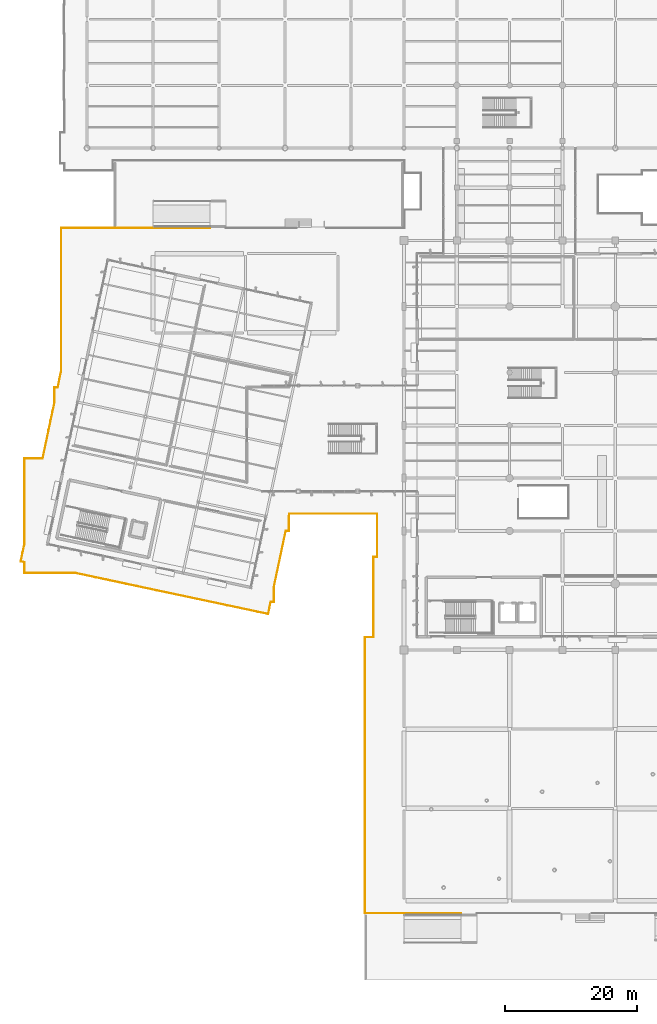
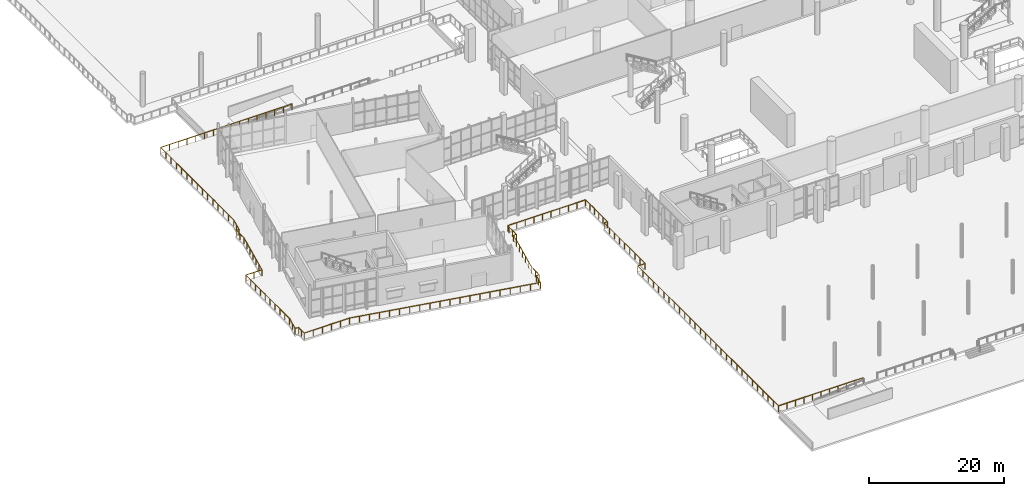
# One storey, part 144 of 163: 1 railing.
"""IFC4 building model written with IfcOpenShell, lengths in metres."""

from ifc_helpers import new_model, si_unit, direction, frame, origin, origin_2d, place, context, subcontext, project, spatial, rectangle, extrude, material, type_object, element, save


model = new_model("IFC4")

# Units and contexts
model_context = context("Model", 3, precision=1e-05, world=origin(), true_north=direction((0.0, 1.0)))
body_context = subcontext(model_context, "Body", "Model", "MODEL_VIEW")
ifc_project = project(units=[si_unit("LENGTHUNIT", "METRE"), si_unit("AREAUNIT", "SQUARE_METRE"), si_unit("VOLUMEUNIT", "CUBIC_METRE"), si_unit("PLANEANGLEUNIT", "RADIAN"), si_unit("MASSUNIT", "GRAM", prefix="KILO")], contexts=[model_context])

# Site, building, storey
site_placement = place(None, origin())
site = spatial("IfcSite", under=ifc_project, at=site_placement, CompositionType="ELEMENT")
building_placement = place(site_placement, origin())
building = spatial("IfcBuilding", under=site, at=building_placement, Name="Khorjan Park Terminus", CompositionType="ELEMENT")
storey_placement = place(building_placement, origin())
storey = spatial("IfcBuildingStorey", under=building, at=storey_placement, Name="L00", CompositionType="ELEMENT", Elevation=0.0)

# Railing
ifc_material = material(Name="Steel S355", Category="steel")
railing_type = type_object("IfcRailingType", Name="GR-EXT", PredefinedType="GUARDRAIL", material=ifc_material)
railing_placement = place(storey_placement, frame((56.625, -13.9, 0.0)))
element("IfcRailing", 1, at=railing_placement, inside=storey, type_object=railing_type, Name="Perimeter safety guard GR-EXT (L00-1)", PredefinedType="GUARDRAIL", context=body_context, shape_type="SweptSolid", body=[
    extrude(rectangle(XDim=0.048, YDim=0.048, at=origin_2d()), frame((0.0, 0.0, 1.096), z_axis=(-1.0, 0.0, 0.0), x_axis=(0.0, -1.0, 0.0)), (0.0, 0.0, 1.0), 14.525),
    extrude(rectangle(XDim=0.048, YDim=0.048, at=origin_2d()), frame((-14.525, 0.0, 1.096), z_axis=(0.0, 1.0, 0.0), x_axis=(-1.0, 0.0, 0.0)), (0.0, 0.0, 1.0), 41.8),
    extrude(rectangle(XDim=0.048, YDim=0.048, at=origin_2d()), frame((-14.525, 41.8, 1.096), z_axis=(1.0, 0.0, 0.0), x_axis=(0.0, 1.0, 0.0)), (0.0, 0.0, 1.0), 1.263),
    extrude(rectangle(XDim=0.048, YDim=0.048, at=origin_2d()), frame((-13.262, 41.8, 1.096), z_axis=(0.0, 1.0, 0.0), x_axis=(-1.0, 0.0, 0.0)), (0.0, 0.0, 1.0), 12.16),
    extrude(rectangle(XDim=0.048, YDim=0.048, at=origin_2d()), frame((-13.262, 53.96, 1.096), z_axis=(1.0, 0.0, 0.0), x_axis=(0.0, 1.0, 0.0)), (0.0, 0.0, 1.0), 0.577),
    extrude(rectangle(XDim=0.048, YDim=0.048, at=origin_2d()), frame((-12.685, 53.96, 1.096), z_axis=(0.0, 1.0, 0.0), x_axis=(-1.0, 0.0, 0.0)), (0.0, 0.0, 1.0), 6.54),
    extrude(rectangle(XDim=0.048, YDim=0.048, at=origin_2d()), frame((-12.685, 60.5, 1.096), z_axis=(-1.0, 0.0, 0.0), x_axis=(0.0, -1.0, 0.0)), (0.0, 0.0, 1.0), 13.2826),
    extrude(rectangle(XDim=0.048, YDim=0.048, at=origin_2d()), frame((-25.9676, 60.5, 1.096), z_axis=(-0.207875026548, -0.978155393247, 0.0), x_axis=(0.978155393247, -0.207875026548, 0.0)), (0.0, 0.0, 1.0), 0.3675),
    extrude(rectangle(XDim=0.048, YDim=0.048, at=origin_2d()), frame((-26.044, 60.1405, 1.096), z_axis=(0.0, -1.0, 0.0), x_axis=(1.0, 0.0, 0.0)), (0.0, 0.0, 1.0), 2.2305),
    extrude(rectangle(XDim=0.048, YDim=0.048, at=origin_2d()), frame((-26.044, 57.91, 1.096), z_axis=(-1.0, 0.0, 0.0), x_axis=(0.0, -1.0, 0.0)), (0.0, 0.0, 1.0), 0.4741),
    extrude(rectangle(XDim=0.048, YDim=0.048, at=origin_2d()), frame((-26.5181, 57.91, 1.096), z_axis=(-0.207914474741, -0.978147008989, 0.0), x_axis=(0.978147008989, -0.207914474741, 0.0)), (0.0, 0.0, 1.0), 8.7146),
    extrude(rectangle(XDim=0.048, YDim=0.048, at=origin_2d()), frame((-28.33, 49.3858, 1.096), z_axis=(0.0, -1.0, 0.0), x_axis=(1.0, 0.0, 0.0)), (0.0, 0.0, 1.0), 2.2348),
    extrude(rectangle(XDim=0.048, YDim=0.048, at=origin_2d()), frame((-28.33, 47.151, 1.096), z_axis=(-1.0, 0.0, 0.0), x_axis=(0.0, -1.0, 0.0)), (0.0, 0.0, 1.0), 0.475),
    extrude(rectangle(XDim=0.048, YDim=0.048, at=origin_2d()), frame((-28.805, 47.151, 1.096), z_axis=(-0.207925137318, -0.978144742495, 0.0), x_axis=(0.978144742495, -0.207925137318, 0.0)), (0.0, 0.0, 1.0), 1.8738),
    extrude(rectangle(XDim=0.048, YDim=0.048, at=origin_2d()), frame((-29.1946, 45.3182, 1.096), z_axis=(-0.978147657101, 0.207911425632, 0.0), x_axis=(-0.207911425632, -0.978147657101, 0.0)), (0.0, 0.0, 1.0), 29.8146),
    extrude(rectangle(XDim=0.048, YDim=0.048, at=origin_2d()), frame((-58.3577, 51.517, 1.096), z_axis=(-1.0, 0.0, 0.0), x_axis=(0.0, -1.0, 0.0)), (0.0, 0.0, 1.0), 7.7493),
    extrude(rectangle(XDim=0.048, YDim=0.048, at=origin_2d()), frame((-66.107, 51.517, 1.096), z_axis=(0.0, 1.0, 0.0), x_axis=(-1.0, 0.0, 0.0)), (0.0, 0.0, 1.0), 1.6472),
    extrude(rectangle(XDim=0.048, YDim=0.048, at=origin_2d()), frame((-66.107, 53.1642, 1.096), z_axis=(-0.978159753916, 0.207854506372, 0.0), x_axis=(-0.207854506372, -0.978159753916, 0.0)), (0.0, 0.0, 1.0), 0.5629),
    extrude(rectangle(XDim=0.048, YDim=0.048, at=origin_2d()), frame((-66.6576, 53.2812, 1.096), z_axis=(0.207909336215, 0.978148101217, 0.0), x_axis=(-0.978148101217, 0.207909336215, 0.0)), (0.0, 0.0, 1.0), 2.6483),
    extrude(rectangle(XDim=0.048, YDim=0.048, at=origin_2d()), frame((-66.107, 55.8716, 1.096), z_axis=(0.0, 1.0, 0.0), x_axis=(-1.0, 0.0, 0.0)), (0.0, 0.0, 1.0), 12.9884),
    extrude(rectangle(XDim=0.048, YDim=0.048, at=origin_2d()), frame((-66.107, 68.86, 1.096), z_axis=(1.0, 0.0, 0.0), x_axis=(0.0, 1.0, 0.0)), (0.0, 0.0, 1.0), 2.7608),
    extrude(rectangle(XDim=0.048, YDim=0.048, at=origin_2d()), frame((-63.3462, 68.86, 1.096), z_axis=(0.207914846311, 0.978146930008, 0.0), x_axis=(-0.978146930008, 0.207914846311, 0.0)), (0.0, 0.0, 1.0), 8.7209),
    extrude(rectangle(XDim=0.048, YDim=0.048, at=origin_2d()), frame((-61.533, 77.3903, 1.096), z_axis=(0.0, 1.0, 0.0), x_axis=(-1.0, 0.0, 0.0)), (0.0, 0.0, 1.0), 2.2287),
    extrude(rectangle(XDim=0.048, YDim=0.048, at=origin_2d()), frame((-61.533, 79.619, 1.096), z_axis=(1.0, 0.0, 0.0), x_axis=(0.0, 1.0, 0.0)), (0.0, 0.0, 1.0), 0.4737),
    extrude(rectangle(XDim=0.048, YDim=0.048, at=origin_2d()), frame((-61.0593, 79.619, 1.096), z_axis=(0.207918328008, 0.978146189932, 0.0), x_axis=(-0.978146189932, 0.207918328008, 0.0)), (0.0, 0.0, 1.0), 2.5698),
    extrude(rectangle(XDim=0.048, YDim=0.048, at=origin_2d()), frame((-60.525, 82.1326, 1.096), z_axis=(0.0, 1.0, 0.0), x_axis=(-1.0, 0.0, 0.0)), (0.0, 0.0, 1.0), 21.6674),
    extrude(rectangle(XDim=0.048, YDim=0.048, at=origin_2d()), frame((-60.525, 103.8, 1.096), z_axis=(0.999999999961, 8.879023e-06, 0.0), x_axis=(-8.879023e-06, 0.999999999961, 0.0)), (0.0, 0.0, 1.0), 22.525),
    extrude(rectangle(XDim=0.042, YDim=0.042, at=origin_2d()), origin(), (0.0, 0.0, 1.0), 1.072),
    extrude(rectangle(XDim=0.042, YDim=0.042, at=origin_2d()), frame((-1.4525, 0.0, 0.0)), (0.0, 0.0, 1.0), 1.072),
    extrude(rectangle(XDim=0.042, YDim=0.042, at=origin_2d()), frame((-2.905, 0.0, 0.0)), (0.0, 0.0, 1.0), 1.072),
    extrude(rectangle(XDim=0.042, YDim=0.042, at=origin_2d()), frame((-4.3575, 0.0, 0.0)), (0.0, 0.0, 1.0), 1.072),
    extrude(rectangle(XDim=0.042, YDim=0.042, at=origin_2d()), frame((-5.81, 0.0, 0.0)), (0.0, 0.0, 1.0), 1.072),
    extrude(rectangle(XDim=0.042, YDim=0.042, at=origin_2d()), frame((-7.2625, 0.0, 0.0)), (0.0, 0.0, 1.0), 1.072),
    extrude(rectangle(XDim=0.042, YDim=0.042, at=origin_2d()), frame((-8.715, 0.0, 0.0)), (0.0, 0.0, 1.0), 1.072),
    extrude(rectangle(XDim=0.042, YDim=0.042, at=origin_2d()), frame((-10.1675, 0.0, 0.0)), (0.0, 0.0, 1.0), 1.072),
    extrude(rectangle(XDim=0.042, YDim=0.042, at=origin_2d()), frame((-11.62, 0.0, 0.0)), (0.0, 0.0, 1.0), 1.072),
    extrude(rectangle(XDim=0.042, YDim=0.042, at=origin_2d()), frame((-13.0725, 0.0, 0.0)), (0.0, 0.0, 1.0), 1.072),
    extrude(rectangle(XDim=0.042, YDim=0.042, at=origin_2d()), frame((-14.525, 0.0, 0.0)), (0.0, 0.0, 1.0), 1.072),
    extrude(rectangle(XDim=0.042, YDim=0.042, at=origin_2d()), frame((-14.525, 1.5481, 0.0)), (0.0, 0.0, 1.0), 1.072),
    extrude(rectangle(XDim=0.042, YDim=0.042, at=origin_2d()), frame((-14.525, 3.0963, 0.0)), (0.0, 0.0, 1.0), 1.072),
    extrude(rectangle(XDim=0.042, YDim=0.042, at=origin_2d()), frame((-14.525, 4.6444, 0.0)), (0.0, 0.0, 1.0), 1.072),
    extrude(rectangle(XDim=0.042, YDim=0.042, at=origin_2d()), frame((-14.525, 6.1926, 0.0)), (0.0, 0.0, 1.0), 1.072),
    extrude(rectangle(XDim=0.042, YDim=0.042, at=origin_2d()), frame((-14.525, 7.7407, 0.0)), (0.0, 0.0, 1.0), 1.072),
    extrude(rectangle(XDim=0.042, YDim=0.042, at=origin_2d()), frame((-14.525, 9.2889, 0.0)), (0.0, 0.0, 1.0), 1.072),
    extrude(rectangle(XDim=0.042, YDim=0.042, at=origin_2d()), frame((-14.525, 10.837, 0.0)), (0.0, 0.0, 1.0), 1.072),
    extrude(rectangle(XDim=0.042, YDim=0.042, at=origin_2d()), frame((-14.525, 12.3852, 0.0)), (0.0, 0.0, 1.0), 1.072),
    extrude(rectangle(XDim=0.042, YDim=0.042, at=origin_2d()), frame((-14.525, 13.9333, 0.0)), (0.0, 0.0, 1.0), 1.072),
    extrude(rectangle(XDim=0.042, YDim=0.042, at=origin_2d()), frame((-14.525, 15.4815, 0.0)), (0.0, 0.0, 1.0), 1.072),
    extrude(rectangle(XDim=0.042, YDim=0.042, at=origin_2d()), frame((-14.525, 17.0296, 0.0)), (0.0, 0.0, 1.0), 1.072),
    extrude(rectangle(XDim=0.042, YDim=0.042, at=origin_2d()), frame((-14.525, 18.5778, 0.0)), (0.0, 0.0, 1.0), 1.072),
    extrude(rectangle(XDim=0.042, YDim=0.042, at=origin_2d()), frame((-14.525, 20.1259, 0.0)), (0.0, 0.0, 1.0), 1.072),
    extrude(rectangle(XDim=0.042, YDim=0.042, at=origin_2d()), frame((-14.525, 21.6741, 0.0)), (0.0, 0.0, 1.0), 1.072),
    extrude(rectangle(XDim=0.042, YDim=0.042, at=origin_2d()), frame((-14.525, 23.2222, 0.0)), (0.0, 0.0, 1.0), 1.072),
    extrude(rectangle(XDim=0.042, YDim=0.042, at=origin_2d()), frame((-14.525, 24.7704, 0.0)), (0.0, 0.0, 1.0), 1.072),
    extrude(rectangle(XDim=0.042, YDim=0.042, at=origin_2d()), frame((-14.525, 26.3185, 0.0)), (0.0, 0.0, 1.0), 1.072),
    extrude(rectangle(XDim=0.042, YDim=0.042, at=origin_2d()), frame((-14.525, 27.8667, 0.0)), (0.0, 0.0, 1.0), 1.072),
    extrude(rectangle(XDim=0.042, YDim=0.042, at=origin_2d()), frame((-14.525, 29.4148, 0.0)), (0.0, 0.0, 1.0), 1.072),
    extrude(rectangle(XDim=0.042, YDim=0.042, at=origin_2d()), frame((-14.525, 30.963, 0.0)), (0.0, 0.0, 1.0), 1.072),
    extrude(rectangle(XDim=0.042, YDim=0.042, at=origin_2d()), frame((-14.525, 32.5111, 0.0)), (0.0, 0.0, 1.0), 1.072),
    extrude(rectangle(XDim=0.042, YDim=0.042, at=origin_2d()), frame((-14.525, 34.0593, 0.0)), (0.0, 0.0, 1.0), 1.072),
    extrude(rectangle(XDim=0.042, YDim=0.042, at=origin_2d()), frame((-14.525, 35.6074, 0.0)), (0.0, 0.0, 1.0), 1.072),
    extrude(rectangle(XDim=0.042, YDim=0.042, at=origin_2d()), frame((-14.525, 37.1556, 0.0)), (0.0, 0.0, 1.0), 1.072),
    extrude(rectangle(XDim=0.042, YDim=0.042, at=origin_2d()), frame((-14.525, 38.7037, 0.0)), (0.0, 0.0, 1.0), 1.072),
    extrude(rectangle(XDim=0.042, YDim=0.042, at=origin_2d()), frame((-14.525, 40.2519, 0.0)), (0.0, 0.0, 1.0), 1.072),
    extrude(rectangle(XDim=0.042, YDim=0.042, at=origin_2d()), frame((-14.525, 41.8, 0.0)), (0.0, 0.0, 1.0), 1.072),
    extrude(rectangle(XDim=0.042, YDim=0.042, at=origin_2d()), frame((-13.262, 41.8, 0.0)), (0.0, 0.0, 1.0), 1.072),
    extrude(rectangle(XDim=0.042, YDim=0.042, at=origin_2d()), frame((-13.262, 43.32, 0.0)), (0.0, 0.0, 1.0), 1.072),
    extrude(rectangle(XDim=0.042, YDim=0.042, at=origin_2d()), frame((-13.262, 44.84, 0.0)), (0.0, 0.0, 1.0), 1.072),
    extrude(rectangle(XDim=0.042, YDim=0.042, at=origin_2d()), frame((-13.262, 46.36, 0.0)), (0.0, 0.0, 1.0), 1.072),
    extrude(rectangle(XDim=0.042, YDim=0.042, at=origin_2d()), frame((-13.262, 47.88, 0.0)), (0.0, 0.0, 1.0), 1.072),
    extrude(rectangle(XDim=0.042, YDim=0.042, at=origin_2d()), frame((-13.262, 49.4, 0.0)), (0.0, 0.0, 1.0), 1.072),
    extrude(rectangle(XDim=0.042, YDim=0.042, at=origin_2d()), frame((-13.262, 50.92, 0.0)), (0.0, 0.0, 1.0), 1.072),
    extrude(rectangle(XDim=0.042, YDim=0.042, at=origin_2d()), frame((-13.262, 52.44, 0.0)), (0.0, 0.0, 1.0), 1.072),
    extrude(rectangle(XDim=0.042, YDim=0.042, at=origin_2d()), frame((-13.262, 53.96, 0.0)), (0.0, 0.0, 1.0), 1.072),
    extrude(rectangle(XDim=0.042, YDim=0.042, at=origin_2d()), frame((-12.685, 53.96, 0.0)), (0.0, 0.0, 1.0), 1.072),
    extrude(rectangle(XDim=0.042, YDim=0.042, at=origin_2d()), frame((-12.685, 55.268, 0.0)), (0.0, 0.0, 1.0), 1.072),
    extrude(rectangle(XDim=0.042, YDim=0.042, at=origin_2d()), frame((-12.685, 56.576, 0.0)), (0.0, 0.0, 1.0), 1.072),
    extrude(rectangle(XDim=0.042, YDim=0.042, at=origin_2d()), frame((-12.685, 57.884, 0.0)), (0.0, 0.0, 1.0), 1.072),
    extrude(rectangle(XDim=0.042, YDim=0.042, at=origin_2d()), frame((-12.685, 59.192, 0.0)), (0.0, 0.0, 1.0), 1.072),
    extrude(rectangle(XDim=0.042, YDim=0.042, at=origin_2d()), frame((-12.685, 60.5, 0.0)), (0.0, 0.0, 1.0), 1.072),
    extrude(rectangle(XDim=0.042, YDim=0.042, at=origin_2d()), frame((-14.1608, 60.5, 0.0)), (0.0, 0.0, 1.0), 1.072),
    extrude(rectangle(XDim=0.042, YDim=0.042, at=origin_2d()), frame((-15.6367, 60.5, 0.0)), (0.0, 0.0, 1.0), 1.072),
    extrude(rectangle(XDim=0.042, YDim=0.042, at=origin_2d()), frame((-17.1125, 60.5, 0.0)), (0.0, 0.0, 1.0), 1.072),
    extrude(rectangle(XDim=0.042, YDim=0.042, at=origin_2d()), frame((-18.5884, 60.5, 0.0)), (0.0, 0.0, 1.0), 1.072),
    extrude(rectangle(XDim=0.042, YDim=0.042, at=origin_2d()), frame((-20.0642, 60.5, 0.0)), (0.0, 0.0, 1.0), 1.072),
    extrude(rectangle(XDim=0.042, YDim=0.042, at=origin_2d()), frame((-21.5401, 60.5, 0.0)), (0.0, 0.0, 1.0), 1.072),
    extrude(rectangle(XDim=0.042, YDim=0.042, at=origin_2d()), frame((-23.0159, 60.5, 0.0)), (0.0, 0.0, 1.0), 1.072),
    extrude(rectangle(XDim=0.042, YDim=0.042, at=origin_2d()), frame((-24.4918, 60.5, 0.0)), (0.0, 0.0, 1.0), 1.072),
    extrude(rectangle(XDim=0.042, YDim=0.042, at=origin_2d()), frame((-25.9676, 60.5, 0.0)), (0.0, 0.0, 1.0), 1.072),
    extrude(rectangle(XDim=0.042, YDim=0.042, at=origin_2d()), frame((-26.044, 60.1405, 0.0)), (0.0, 0.0, 1.0), 1.072),
    extrude(rectangle(XDim=0.042, YDim=0.042, at=origin_2d()), frame((-26.044, 59.0252, 0.0)), (0.0, 0.0, 1.0), 1.072),
    extrude(rectangle(XDim=0.042, YDim=0.042, at=origin_2d()), frame((-26.044, 57.91, 0.0)), (0.0, 0.0, 1.0), 1.072),
    extrude(rectangle(XDim=0.042, YDim=0.042, at=origin_2d()), frame((-26.5181, 57.91, 0.0)), (0.0, 0.0, 1.0), 1.072),
    extrude(rectangle(XDim=0.042, YDim=0.042, at=origin_2d()), frame((-26.8201, 56.4893, 0.0)), (0.0, 0.0, 1.0), 1.072),
    extrude(rectangle(XDim=0.042, YDim=0.042, at=origin_2d()), frame((-27.1221, 55.0686, 0.0)), (0.0, 0.0, 1.0), 1.072),
    extrude(rectangle(XDim=0.042, YDim=0.042, at=origin_2d()), frame((-27.4241, 53.6479, 0.0)), (0.0, 0.0, 1.0), 1.072),
    extrude(rectangle(XDim=0.042, YDim=0.042, at=origin_2d()), frame((-27.726, 52.2272, 0.0)), (0.0, 0.0, 1.0), 1.072),
    extrude(rectangle(XDim=0.042, YDim=0.042, at=origin_2d()), frame((-28.028, 50.8065, 0.0)), (0.0, 0.0, 1.0), 1.072),
    extrude(rectangle(XDim=0.042, YDim=0.042, at=origin_2d()), frame((-28.33, 49.3858, 0.0)), (0.0, 0.0, 1.0), 1.072),
    extrude(rectangle(XDim=0.042, YDim=0.042, at=origin_2d()), frame((-28.33, 48.2684, 0.0)), (0.0, 0.0, 1.0), 1.072),
    extrude(rectangle(XDim=0.042, YDim=0.042, at=origin_2d()), frame((-28.33, 47.151, 0.0)), (0.0, 0.0, 1.0), 1.072),
    extrude(rectangle(XDim=0.042, YDim=0.042, at=origin_2d()), frame((-28.805, 47.151, 0.0)), (0.0, 0.0, 1.0), 1.072),
    extrude(rectangle(XDim=0.042, YDim=0.042, at=origin_2d()), frame((-28.9998, 46.2346, 0.0)), (0.0, 0.0, 1.0), 1.072),
    extrude(rectangle(XDim=0.042, YDim=0.042, at=origin_2d()), frame((-29.1946, 45.3182, 0.0)), (0.0, 0.0, 1.0), 1.072),
    extrude(rectangle(XDim=0.042, YDim=0.042, at=origin_2d()), frame((-30.7295, 45.6445, 0.0)), (0.0, 0.0, 1.0), 1.072),
    extrude(rectangle(XDim=0.042, YDim=0.042, at=origin_2d()), frame((-32.2644, 45.9707, 0.0)), (0.0, 0.0, 1.0), 1.072),
    extrude(rectangle(XDim=0.042, YDim=0.042, at=origin_2d()), frame((-33.7993, 46.297, 0.0)), (0.0, 0.0, 1.0), 1.072),
    extrude(rectangle(XDim=0.042, YDim=0.042, at=origin_2d()), frame((-35.3342, 46.6232, 0.0)), (0.0, 0.0, 1.0), 1.072),
    extrude(rectangle(XDim=0.042, YDim=0.042, at=origin_2d()), frame((-36.8691, 46.9495, 0.0)), (0.0, 0.0, 1.0), 1.072),
    extrude(rectangle(XDim=0.042, YDim=0.042, at=origin_2d()), frame((-38.404, 47.2757, 0.0)), (0.0, 0.0, 1.0), 1.072),
    extrude(rectangle(XDim=0.042, YDim=0.042, at=origin_2d()), frame((-39.9389, 47.602, 0.0)), (0.0, 0.0, 1.0), 1.072),
    extrude(rectangle(XDim=0.042, YDim=0.042, at=origin_2d()), frame((-41.4738, 47.9282, 0.0)), (0.0, 0.0, 1.0), 1.072),
    extrude(rectangle(XDim=0.042, YDim=0.042, at=origin_2d()), frame((-43.0087, 48.2545, 0.0)), (0.0, 0.0, 1.0), 1.072),
    extrude(rectangle(XDim=0.042, YDim=0.042, at=origin_2d()), frame((-44.5436, 48.5807, 0.0)), (0.0, 0.0, 1.0), 1.072),
    extrude(rectangle(XDim=0.042, YDim=0.042, at=origin_2d()), frame((-46.0785, 48.907, 0.0)), (0.0, 0.0, 1.0), 1.072),
    extrude(rectangle(XDim=0.042, YDim=0.042, at=origin_2d()), frame((-47.6134, 49.2332, 0.0)), (0.0, 0.0, 1.0), 1.072),
    extrude(rectangle(XDim=0.042, YDim=0.042, at=origin_2d()), frame((-49.1483, 49.5595, 0.0)), (0.0, 0.0, 1.0), 1.072),
    extrude(rectangle(XDim=0.042, YDim=0.042, at=origin_2d()), frame((-50.6832, 49.8857, 0.0)), (0.0, 0.0, 1.0), 1.072),
    extrude(rectangle(XDim=0.042, YDim=0.042, at=origin_2d()), frame((-52.2181, 50.212, 0.0)), (0.0, 0.0, 1.0), 1.072),
    extrude(rectangle(XDim=0.042, YDim=0.042, at=origin_2d()), frame((-53.753, 50.5382, 0.0)), (0.0, 0.0, 1.0), 1.072),
    extrude(rectangle(XDim=0.042, YDim=0.042, at=origin_2d()), frame((-55.2879, 50.8645, 0.0)), (0.0, 0.0, 1.0), 1.072),
    extrude(rectangle(XDim=0.042, YDim=0.042, at=origin_2d()), frame((-56.8228, 51.1907, 0.0)), (0.0, 0.0, 1.0), 1.072),
    extrude(rectangle(XDim=0.042, YDim=0.042, at=origin_2d()), frame((-58.3577, 51.517, 0.0)), (0.0, 0.0, 1.0), 1.072),
    extrude(rectangle(XDim=0.042, YDim=0.042, at=origin_2d()), frame((-59.9076, 51.517, 0.0)), (0.0, 0.0, 1.0), 1.072),
    extrude(rectangle(XDim=0.042, YDim=0.042, at=origin_2d()), frame((-61.4574, 51.517, 0.0)), (0.0, 0.0, 1.0), 1.072),
    extrude(rectangle(XDim=0.042, YDim=0.042, at=origin_2d()), frame((-63.0073, 51.517, 0.0)), (0.0, 0.0, 1.0), 1.072),
    extrude(rectangle(XDim=0.042, YDim=0.042, at=origin_2d()), frame((-64.5571, 51.517, 0.0)), (0.0, 0.0, 1.0), 1.072),
    extrude(rectangle(XDim=0.042, YDim=0.042, at=origin_2d()), frame((-66.107, 51.517, 0.0)), (0.0, 0.0, 1.0), 1.072),
    extrude(rectangle(XDim=0.042, YDim=0.042, at=origin_2d()), frame((-66.107, 52.3406, 0.0)), (0.0, 0.0, 1.0), 1.072),
    extrude(rectangle(XDim=0.042, YDim=0.042, at=origin_2d()), frame((-66.107, 53.1642, 0.0)), (0.0, 0.0, 1.0), 1.072),
    extrude(rectangle(XDim=0.042, YDim=0.042, at=origin_2d()), frame((-66.6576, 53.2812, 0.0)), (0.0, 0.0, 1.0), 1.072),
    extrude(rectangle(XDim=0.042, YDim=0.042, at=origin_2d()), frame((-66.3823, 54.5764, 0.0)), (0.0, 0.0, 1.0), 1.072),
    extrude(rectangle(XDim=0.042, YDim=0.042, at=origin_2d()), frame((-66.107, 55.8716, 0.0)), (0.0, 0.0, 1.0), 1.072),
    extrude(rectangle(XDim=0.042, YDim=0.042, at=origin_2d()), frame((-66.107, 57.3148, 0.0)), (0.0, 0.0, 1.0), 1.072),
    extrude(rectangle(XDim=0.042, YDim=0.042, at=origin_2d()), frame((-66.107, 58.7579, 0.0)), (0.0, 0.0, 1.0), 1.072),
    extrude(rectangle(XDim=0.042, YDim=0.042, at=origin_2d()), frame((-66.107, 60.2011, 0.0)), (0.0, 0.0, 1.0), 1.072),
    extrude(rectangle(XDim=0.042, YDim=0.042, at=origin_2d()), frame((-66.107, 61.6442, 0.0)), (0.0, 0.0, 1.0), 1.072),
    extrude(rectangle(XDim=0.042, YDim=0.042, at=origin_2d()), frame((-66.107, 63.0874, 0.0)), (0.0, 0.0, 1.0), 1.072),
    extrude(rectangle(XDim=0.042, YDim=0.042, at=origin_2d()), frame((-66.107, 64.5305, 0.0)), (0.0, 0.0, 1.0), 1.072),
    extrude(rectangle(XDim=0.042, YDim=0.042, at=origin_2d()), frame((-66.107, 65.9737, 0.0)), (0.0, 0.0, 1.0), 1.072),
    extrude(rectangle(XDim=0.042, YDim=0.042, at=origin_2d()), frame((-66.107, 67.4168, 0.0)), (0.0, 0.0, 1.0), 1.072),
    extrude(rectangle(XDim=0.042, YDim=0.042, at=origin_2d()), frame((-66.107, 68.86, 0.0)), (0.0, 0.0, 1.0), 1.072),
    extrude(rectangle(XDim=0.042, YDim=0.042, at=origin_2d()), frame((-64.7266, 68.86, 0.0)), (0.0, 0.0, 1.0), 1.072),
    extrude(rectangle(XDim=0.042, YDim=0.042, at=origin_2d()), frame((-63.3462, 68.86, 0.0)), (0.0, 0.0, 1.0), 1.072),
    extrude(rectangle(XDim=0.042, YDim=0.042, at=origin_2d()), frame((-63.044, 70.2817, 0.0)), (0.0, 0.0, 1.0), 1.072),
    extrude(rectangle(XDim=0.042, YDim=0.042, at=origin_2d()), frame((-62.7418, 71.7034, 0.0)), (0.0, 0.0, 1.0), 1.072),
    extrude(rectangle(XDim=0.042, YDim=0.042, at=origin_2d()), frame((-62.4396, 73.1251, 0.0)), (0.0, 0.0, 1.0), 1.072),
    extrude(rectangle(XDim=0.042, YDim=0.042, at=origin_2d()), frame((-62.1374, 74.5469, 0.0)), (0.0, 0.0, 1.0), 1.072),
    extrude(rectangle(XDim=0.042, YDim=0.042, at=origin_2d()), frame((-61.8352, 75.9686, 0.0)), (0.0, 0.0, 1.0), 1.072),
    extrude(rectangle(XDim=0.042, YDim=0.042, at=origin_2d()), frame((-61.533, 77.3903, 0.0)), (0.0, 0.0, 1.0), 1.072),
    extrude(rectangle(XDim=0.042, YDim=0.042, at=origin_2d()), frame((-61.533, 78.5046, 0.0)), (0.0, 0.0, 1.0), 1.072),
    extrude(rectangle(XDim=0.042, YDim=0.042, at=origin_2d()), frame((-61.533, 79.619, 0.0)), (0.0, 0.0, 1.0), 1.072),
    extrude(rectangle(XDim=0.042, YDim=0.042, at=origin_2d()), frame((-61.0593, 79.619, 0.0)), (0.0, 0.0, 1.0), 1.072),
    extrude(rectangle(XDim=0.042, YDim=0.042, at=origin_2d()), frame((-60.7921, 80.8758, 0.0)), (0.0, 0.0, 1.0), 1.072),
    extrude(rectangle(XDim=0.042, YDim=0.042, at=origin_2d()), frame((-60.525, 82.1326, 0.0)), (0.0, 0.0, 1.0), 1.072),
    extrude(rectangle(XDim=0.042, YDim=0.042, at=origin_2d()), frame((-60.525, 83.6803, 0.0)), (0.0, 0.0, 1.0), 1.072),
    extrude(rectangle(XDim=0.042, YDim=0.042, at=origin_2d()), frame((-60.525, 85.2279, 0.0)), (0.0, 0.0, 1.0), 1.072),
    extrude(rectangle(XDim=0.042, YDim=0.042, at=origin_2d()), frame((-60.525, 86.7756, 0.0)), (0.0, 0.0, 1.0), 1.072),
    extrude(rectangle(XDim=0.042, YDim=0.042, at=origin_2d()), frame((-60.525, 88.3233, 0.0)), (0.0, 0.0, 1.0), 1.072),
    extrude(rectangle(XDim=0.042, YDim=0.042, at=origin_2d()), frame((-60.525, 89.871, 0.0)), (0.0, 0.0, 1.0), 1.072),
    extrude(rectangle(XDim=0.042, YDim=0.042, at=origin_2d()), frame((-60.525, 91.4186, 0.0)), (0.0, 0.0, 1.0), 1.072),
    extrude(rectangle(XDim=0.042, YDim=0.042, at=origin_2d()), frame((-60.525, 92.9663, 0.0)), (0.0, 0.0, 1.0), 1.072),
    extrude(rectangle(XDim=0.042, YDim=0.042, at=origin_2d()), frame((-60.525, 94.514, 0.0)), (0.0, 0.0, 1.0), 1.072),
    extrude(rectangle(XDim=0.042, YDim=0.042, at=origin_2d()), frame((-60.525, 96.0616, 0.0)), (0.0, 0.0, 1.0), 1.072),
    extrude(rectangle(XDim=0.042, YDim=0.042, at=origin_2d()), frame((-60.525, 97.6093, 0.0)), (0.0, 0.0, 1.0), 1.072),
    extrude(rectangle(XDim=0.042, YDim=0.042, at=origin_2d()), frame((-60.525, 99.157, 0.0)), (0.0, 0.0, 1.0), 1.072),
    extrude(rectangle(XDim=0.042, YDim=0.042, at=origin_2d()), frame((-60.525, 100.7047, 0.0)), (0.0, 0.0, 1.0), 1.072),
    extrude(rectangle(XDim=0.042, YDim=0.042, at=origin_2d()), frame((-60.525, 102.2523, 0.0)), (0.0, 0.0, 1.0), 1.072),
    extrude(rectangle(XDim=0.042, YDim=0.042, at=origin_2d()), frame((-60.525, 103.8, 0.0)), (0.0, 0.0, 1.0), 1.072),
    extrude(rectangle(XDim=0.042, YDim=0.042, at=origin_2d()), frame((-59.0233, 103.8, 0.0)), (0.0, 0.0, 1.0), 1.072),
    extrude(rectangle(XDim=0.042, YDim=0.042, at=origin_2d()), frame((-57.5217, 103.8, 0.0)), (0.0, 0.0, 1.0), 1.072),
    extrude(rectangle(XDim=0.042, YDim=0.042, at=origin_2d()), frame((-56.02, 103.8, 0.0)), (0.0, 0.0, 1.0), 1.072),
    extrude(rectangle(XDim=0.042, YDim=0.042, at=origin_2d()), frame((-54.5183, 103.8001, 0.0)), (0.0, 0.0, 1.0), 1.072),
    extrude(rectangle(XDim=0.042, YDim=0.042, at=origin_2d()), frame((-53.0167, 103.8001, 0.0)), (0.0, 0.0, 1.0), 1.072),
    extrude(rectangle(XDim=0.042, YDim=0.042, at=origin_2d()), frame((-51.515, 103.8001, 0.0)), (0.0, 0.0, 1.0), 1.072),
    extrude(rectangle(XDim=0.042, YDim=0.042, at=origin_2d()), frame((-50.0133, 103.8001, 0.0)), (0.0, 0.0, 1.0), 1.072),
    extrude(rectangle(XDim=0.042, YDim=0.042, at=origin_2d()), frame((-48.5117, 103.8001, 0.0)), (0.0, 0.0, 1.0), 1.072),
    extrude(rectangle(XDim=0.042, YDim=0.042, at=origin_2d()), frame((-47.01, 103.8001, 0.0)), (0.0, 0.0, 1.0), 1.072),
    extrude(rectangle(XDim=0.042, YDim=0.042, at=origin_2d()), frame((-45.5083, 103.8001, 0.0)), (0.0, 0.0, 1.0), 1.072),
    extrude(rectangle(XDim=0.042, YDim=0.042, at=origin_2d()), frame((-44.0067, 103.8001, 0.0)), (0.0, 0.0, 1.0), 1.072),
    extrude(rectangle(XDim=0.042, YDim=0.042, at=origin_2d()), frame((-42.505, 103.8002, 0.0)), (0.0, 0.0, 1.0), 1.072),
    extrude(rectangle(XDim=0.042, YDim=0.042, at=origin_2d()), frame((-41.0033, 103.8002, 0.0)), (0.0, 0.0, 1.0), 1.072),
    extrude(rectangle(XDim=0.042, YDim=0.042, at=origin_2d()), frame((-39.5017, 103.8002, 0.0)), (0.0, 0.0, 1.0), 1.072),
    extrude(rectangle(XDim=0.042, YDim=0.042, at=origin_2d()), frame((-38.0, 103.8002, 0.0)), (0.0, 0.0, 1.0), 1.072),
])

save(model, "model.ifc")
